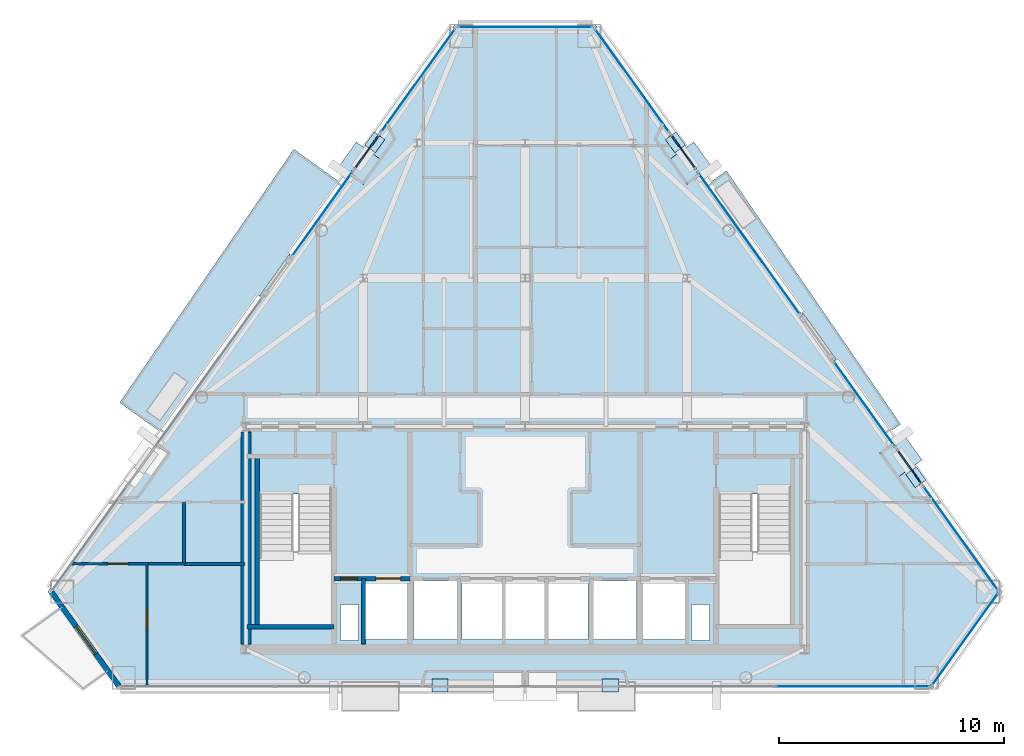
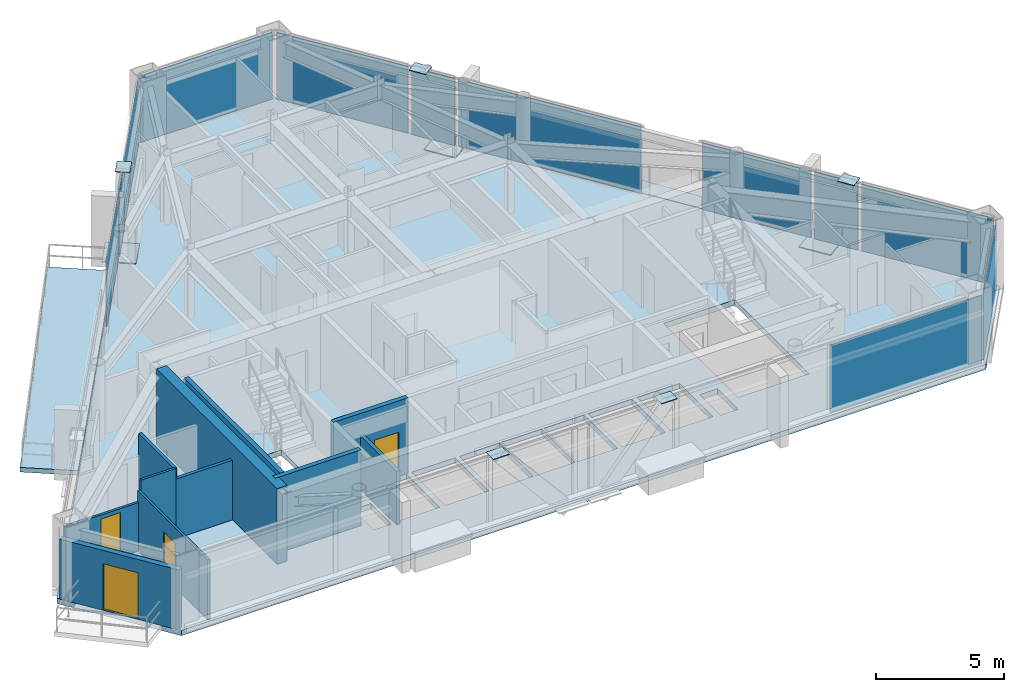
# One storey, part 7 of 12: 20 plates, 11 walls, 5 doors, 3 slabs, 5 openings, 12 elements without a shape of their own.
"""IFC4 building model written with IfcOpenShell, lengths in metres."""

from ifc_helpers import new_model, si_unit, direction, frame, frame_2d, origin, origin_2d, place, context, subcontext, project, spatial, polyline, rectangle, outline, extrude, source, transform, mapped, material, layer, layer_set, type_object, type_shapes, element, fill, aggregate, save


model = new_model("IFC4")

# Units and contexts
model_context = context("Model", 3, precision=1e-05, world=origin(), true_north=direction((0.0, 1.0)))
body_context = subcontext(model_context, "Body", "Model", "MODEL_VIEW")
ifc_project = project(units=[si_unit("LENGTHUNIT", "METRE"), si_unit("AREAUNIT", "SQUARE_METRE"), si_unit("VOLUMEUNIT", "CUBIC_METRE"), si_unit("PLANEANGLEUNIT", "RADIAN"), si_unit("MASSUNIT", "GRAM", prefix="KILO")], contexts=[model_context])

# Site, building, storey
site_placement = place(None, origin())
site = spatial("IfcSite", under=ifc_project, at=site_placement, CompositionType="ELEMENT")
building_placement = place(site_placement, origin())
building = spatial("IfcBuilding", under=site, at=building_placement, Name="Talgorran Terracotta Tower", CompositionType="ELEMENT")
storey_placement = place(building_placement, frame((0.0, 0.0, 225.300048828125)))
storey = spatial("IfcBuildingStorey", under=building, at=storey_placement, Name="L59", CompositionType="ELEMENT", Elevation=225.300048828125)

# Plates
ifc_material_1 = material(Name="Steel Grade 350 (350L0)", Category="steel")
ifc_layer_1 = layer(ifc_material_1, 0.031982421875, Name="PL_CAP_MN07")
ifc_layer_set_1 = layer_set([ifc_layer_1], Name="Steel Grade 350 (350L0)")
plate_type_1 = type_object("IfcPlateType", Name="PL_CAP_MN07", PredefinedType="USERDEFINED", material=ifc_layer_set_1)
for number, where, z_axis, x_axis, name in (
    (1, (-3.783203125, -15.712158203125, 3.2939453125), (0.0, 0.0, 1.0), (-1.0, 0.0, 0.0), "L59 Diagonal Frame End Cap SWF Top"),
    (2, (3.783203125, -15.712158203125, 3.2939453125), (0.0, 0.0, 1.0), (1.0, 0.0, 0.0), "L59 Diagonal Frame End Cap SEF Top"),
    (3, (17.359619140625, -6.453857421875, 3.2939453125), (0.0, 0.0, 1.0), (0.583115925445, -0.812388957023, 0.0), "L59 Diagonal Frame End Cap NEL Top"),
    (4, (6.67822265625, 8.42724609375, 3.2939453125), (0.0, 0.0, 1.0), (-0.583115925445, 0.812388957023, 0.0), "L59 Diagonal Frame End Cap NEU Top"),
    (5, (-6.67822265625, 8.42724609375, 3.2939453125), (0.0, 0.0, 1.0), (0.583115925445, 0.812388957023, 0.0), "L59 Diagonal Frame End Cap NWU Top"),
):
    element("IfcPlate", number, at=place(storey_placement, frame(where, z_axis=z_axis, x_axis=x_axis)), inside=storey, type_object=plate_type_1, Name=name, ObjectType="CAP PLATE", PredefinedType="USERDEFINED", context=body_context, shape_type="SweptSolid", body=[
        extrude(rectangle(XDim=0.719970703125, YDim=0.580078125, at=origin_2d()), origin(), (0.0, 0.0, 1.0), 0.031982421875),
    ])
ifc_layer_2 = layer(ifc_material_1, 0.050048828125, Name="PL_NODE_MN03")
ifc_layer_set_2 = layer_set([ifc_layer_2], Name="Steel Grade 350 (350L0)")
plate_type_2 = type_object("IfcPlateType", Name="PL_NODE_MN03", PredefinedType="USERDEFINED", material=ifc_layer_set_2)
for number, where, z_axis, x_axis, name in (
    (6, (16.694091796875, -5.527099609375, -0.01513671875), (0.0, 0.0, 1.0), (0.583115925445, -0.812388957023, 0.0), "L59 Diagonal Frame End Cap NEL Bot"),
    (7, (7.343505859375, 7.50048828125, -0.01513671875), (0.0, 0.0, 1.0), (-0.583115925445, 0.812388957023, 0.0), "L59 Diagonal Frame End Cap NEU Bot"),
    (8, (-7.343505859375, 7.50048828125, -0.01513671875), (0.0, 0.0, 1.0), (0.583115925445, 0.812388957023, 0.0), "L59 Diagonal Frame End Cap NWU Bot"),
):
    element("IfcPlate", number, at=place(storey_placement, frame(where, z_axis=z_axis, x_axis=x_axis)), inside=storey, type_object=plate_type_2, Name=name, ObjectType="NODE PLATE", PredefinedType="USERDEFINED", context=body_context, shape_type="SweptSolid", body=[
        extrude(rectangle(XDim=1.35009765625, YDim=1.35009765625, at=origin_2d()), origin(), (0.0, 0.0, 1.0), 0.050048828125),
    ])

# Slabs
ifc_material_2 = material(Name="Concrete C40/50", Category="concrete")
ifc_layer_3 = layer(ifc_material_2, 0.219970703125, Name="SL_BALCONY_220")
ifc_layer_set_3 = layer_set([ifc_layer_3], Name="Concrete C40/50")
slab_type_1 = type_object("IfcSlabType", Name="SL_BALCONY_220", PredefinedType="FLOOR", material=ifc_layer_set_3)
slab_1_placement = place(storey_placement, frame((0.0, 0.0, -0.219970703125)))
element("IfcSlab", 9, at=slab_1_placement, inside=storey, type_object=slab_type_1, Name="L59 Outdoor Wave Balcony BAL-NE", PredefinedType="FLOOR", context=body_context, shape_type="SweptSolid", body=[
    extrude(outline(polyline([(8.189208984375, 6.622314453125), (16.15185546875, -4.47119140625), (16.6796875, -4.09228515625), (8.947021484375, 7.166015625), (8.189208984375, 6.622314453125)])), origin(), (0.0, 0.0, 1.0), 0.219970703125),
])
slab_2_placement = place(storey_placement, frame((0.0, 0.0, -0.219970703125)))
element("IfcSlab", 10, at=slab_2_placement, inside=storey, type_object=slab_type_1, Name="L59 Outdoor Wave Balcony BAL-NW", PredefinedType="FLOOR", context=body_context, shape_type="SweptSolid", body=[
    extrude(outline(polyline([(-16.15185546875, -4.47119140625), (-8.189208984375, 6.622314453125), (-10.277099609375, 8.120849609375), (-18.010009765625, -3.1376953125), (-16.15185546875, -4.47119140625)])), origin(), (0.0, 0.0, 1.0), 0.219970703125),
])
ifc_layer_4 = layer(ifc_material_2, 0.2548828125, Name="SL_TOWER_235")
ifc_layer_set_4 = layer_set([ifc_layer_4], Name="Concrete C40/50")
slab_type_2 = type_object("IfcSlabType", Name="SL_TOWER_235", PredefinedType="FLOOR", material=ifc_layer_set_4)
slab_3_placement = place(storey_placement, frame((0.0, 0.0, -0.255126953125)))
element("IfcSlab", 11, at=slab_3_placement, inside=storey, type_object=slab_type_2, Name="Storey L59 Structural Floor Slab", PredefinedType="FLOOR", context=body_context, shape_type="SweptSolid", body=[
    extrude(outline(polyline([(-21.206787109375, -11.53955078125), (-18.096923828125, -15.872314453125), (18.096923828125, -15.872314453125), (21.206787109375, -11.53955078125), (3.10986328125, 13.673095703125), (-3.10986328125, 13.673095703125), (-21.206787109375, -11.53955078125)]), holes=[polyline([(-11.800048828125, -7.199951171875), (-11.800048828125, -13.0), (-8.60009765625, -13.0), (-8.60009765625, -7.199951171875), (-11.800048828125, -7.199951171875)]), polyline([(8.60009765625, -7.199951171875), (8.60009765625, -13.0), (11.800048828125, -13.0), (11.800048828125, -7.199951171875), (8.60009765625, -7.199951171875)]), polyline([(-7.10009765625, -13.64990234375), (-5.199951171875, -13.64990234375), (-5.199951171875, -11.050048828125), (-7.10009765625, -11.050048828125), (-7.10009765625, -13.64990234375)]), polyline([(5.199951171875, -13.64990234375), (7.10009765625, -13.64990234375), (7.10009765625, -11.050048828125), (5.199951171875, -11.050048828125), (5.199951171875, -13.64990234375)]), polyline([(3.0, -13.64990234375), (4.949951171875, -13.64990234375), (4.949951171875, -11.050048828125), (3.0, -11.050048828125), (3.0, -13.64990234375)]), polyline([(-4.949951171875, -13.64990234375), (-3.0, -13.64990234375), (-3.0, -11.050048828125), (-4.949951171875, -11.050048828125), (-4.949951171875, -13.64990234375)]), polyline([(-2.800048828125, -13.64990234375), (-1.0, -13.64990234375), (-1.0, -11.050048828125), (-2.800048828125, -11.050048828125), (-2.800048828125, -13.64990234375)]), polyline([(-0.89990234375, -13.64990234375), (0.89990234375, -13.64990234375), (0.89990234375, -11.050048828125), (-0.89990234375, -11.050048828125), (-0.89990234375, -13.64990234375)]), polyline([(1.0, -13.64990234375), (2.800048828125, -13.64990234375), (2.800048828125, -11.050048828125), (1.0, -11.050048828125), (1.0, -13.64990234375)]), polyline([(-8.199951171875, -13.699951171875), (-7.39990234375, -13.699951171875), (-7.39990234375, -12.10009765625), (-8.199951171875, -12.10009765625), (-8.199951171875, -13.699951171875)]), polyline([(7.39990234375, -13.699951171875), (8.199951171875, -13.699951171875), (8.199951171875, -12.10009765625), (7.39990234375, -12.10009765625), (7.39990234375, -13.699951171875)])]), origin(), (0.0, 0.0, 1.0), 0.255126953125),
])

# Curtain wall, plate
ifc_material_3 = material(Name="High-Wind Unitised Glazing", Category="glass")
ifc_layer_5 = layer(ifc_material_3, 0.2099609375, Name="CW_SYS3_RES_HIGH")
ifc_layer_set_5 = layer_set([ifc_layer_5], Name="High-Wind Unitised Glazing")
curtain_wall_type = type_object("IfcCurtainWallType", Name="CW_SYS3_RES_HIGH", PredefinedType="NOTDEFINED", material=ifc_layer_set_5)
curtain_wall_1_placement = place(storey_placement, origin())
curtain_wall_1 = element("IfcCurtainWall", 12, at=curtain_wall_1_placement, inside=storey, type_object=curtain_wall_type, Name="CW-L59-F1E", PredefinedType="NOTDEFINED")
ifc_material_4 = material(Name="High-Wind Acoustic Vision Glass", Category="glass")
ifc_layer_6 = layer(ifc_material_4, 0.031982421875, Name="PLT_VISION_32")
ifc_layer_set_6 = layer_set([ifc_layer_6], Name="High-Wind Acoustic Vision Glass")
plate_type_3 = type_object("IfcPlateType", Name="PLT_VISION_32", PredefinedType="CURTAIN_PANEL", material=ifc_layer_set_6)
shared_shape_1 = source(origin(), body_context, "Body", "SweptSolid", [
    extrude(rectangle(XDim=6.817626953125, YDim=0.031982421875, at=origin_2d()), origin(), (0.0, 0.0, 1.0), 3.179931640625),
])
plate_1_placement = place(storey_placement, frame((14.556640625, -15.752197265625, 0.06982421875), z_axis=(0.0, 0.0, 1.0), x_axis=(1.0, 0.0, 0.0)))
plate_1 = element("IfcPlate", 13, at=plate_1_placement, type_object=plate_type_3, Name="CW-L59-1E panel 2.1", PredefinedType="CURTAIN_PANEL", context=body_context, shape_type="MappedRepresentation", body=[
    mapped(shared_shape_1, transform((0.0, 0.0, 0.0), scale=1.0)),
])
aggregate(curtain_wall_1, [plate_1])

curtain_wall_2_placement = place(storey_placement, origin())
curtain_wall_2 = element("IfcCurtainWall", 14, at=curtain_wall_2_placement, inside=storey, type_object=curtain_wall_type, Name="CW-L59-F2", PredefinedType="NOTDEFINED")
shared_shape_2 = source(origin(), body_context, "Body", "SweptSolid", [
    extrude(rectangle(XDim=5.04541015625, YDim=0.031982421875, at=origin_2d()), origin(), (0.0, 0.0, 1.0), 3.179931640625),
])
plate_2_placement = place(storey_placement, frame((19.54736328125, -13.64599609375, 0.06982421875), z_axis=(0.0, 0.0, 1.0), x_axis=(0.583113785654, 0.812390492916, 0.0)))
plate_2 = element("IfcPlate", 15, at=plate_2_placement, type_object=plate_type_3, Name="CW-L59-2 panel 1.1", PredefinedType="CURTAIN_PANEL", context=body_context, shape_type="MappedRepresentation", body=[
    mapped(shared_shape_2, transform((0.0, 0.0, 0.0), scale=1.0)),
])
aggregate(curtain_wall_2, [plate_2])

curtain_wall_3_placement = place(storey_placement, origin())
curtain_wall_3 = element("IfcCurtainWall", 16, at=curtain_wall_3_placement, inside=storey, type_object=curtain_wall_type, Name="CW-L59-F40", PredefinedType="NOTDEFINED")
shared_shape_3 = source(origin(), body_context, "Body", "SweptSolid", [
    extrude(rectangle(XDim=5.63916015625, YDim=0.031982421875, at=origin_2d()), origin(), (0.0, 0.0, 1.0), 3.179931640625),
])
plate_3_placement = place(storey_placement, frame((19.350830078125, -9.15966796875, 0.06982421875), z_axis=(0.0, 0.0, 1.0), x_axis=(-0.583115726941, 0.812389099505, 0.0)))
plate_3 = element("IfcPlate", 17, at=plate_3_placement, type_object=plate_type_3, Name="CW-L59-40 panel 1.1", PredefinedType="CURTAIN_PANEL", context=body_context, shape_type="MappedRepresentation", body=[
    mapped(shared_shape_3, transform((0.0, 0.0, 0.0), scale=1.0)),
])
aggregate(curtain_wall_3, [plate_3])

curtain_wall_4_placement = place(storey_placement, origin())
curtain_wall_4 = element("IfcCurtainWall", 18, at=curtain_wall_4_placement, inside=storey, type_object=curtain_wall_type, Name="CW-L59-F40B", PredefinedType="NOTDEFINED")
ifc_material_5 = material(Name="Terracotta Insulated Spandrel", Category="masonry")
ifc_layer_7 = layer(ifc_material_5, 0.06494140625, Name="PLT_SPANDREL_TERRA")
ifc_layer_set_7 = layer_set([ifc_layer_7], Name="Terracotta Insulated Spandrel")
plate_type_4 = type_object("IfcPlateType", Name="PLT_SPANDREL_TERRA", PredefinedType="SHEET", material=ifc_layer_set_7)
shared_shape_4 = source(origin(), body_context, "Body", "SweptSolid", [
    extrude(rectangle(XDim=1.864990234375, YDim=0.06494140625, at=origin_2d()), origin(), (0.0, 0.0, 1.0), 3.179931640625),
])
type_shapes(plate_type_4, [shared_shape_4])
plate_4_placement = place(storey_placement, frame((17.075439453125, -5.98974609375, 0.06982421875), z_axis=(0.0, 0.0, 1.0), x_axis=(-0.583119019935, 0.812386735853, 0.0)))
plate_4 = element("IfcPlate", 19, at=plate_4_placement, type_object=plate_type_4, Name="CW-L59-40B panel 1.1", PredefinedType="CURTAIN_PANEL", context=body_context, shape_type="MappedRepresentation", body=[
    mapped(shared_shape_4, transform((0.0, 0.0, 0.0), scale=1.0)),
])
aggregate(curtain_wall_4, [plate_4])

curtain_wall_5_placement = place(storey_placement, origin())
curtain_wall_5 = element("IfcCurtainWall", 20, at=curtain_wall_5_placement, inside=storey, type_object=curtain_wall_type, Name="CW-L59-F41B", PredefinedType="NOTDEFINED")
plate_5_placement = place(storey_placement, frame((7.027099609375, 8.009765625, 0.06982421875), z_axis=(0.0, 0.0, 1.0), x_axis=(-0.583086103473, 0.812410361785, 0.0)))
plate_5 = element("IfcPlate", 21, at=plate_5_placement, type_object=plate_type_4, Name="CW-L59-41B panel 1.1", PredefinedType="CURTAIN_PANEL", context=body_context, shape_type="MappedRepresentation", body=[
    mapped(shared_shape_4, transform((0.0, 0.0, 0.0), scale=1.0)),
])
aggregate(curtain_wall_5, [plate_5])

curtain_wall_6_placement = place(storey_placement, origin())
curtain_wall_6 = element("IfcCurtainWall", 22, at=curtain_wall_6_placement, inside=storey, type_object=curtain_wall_type, Name="CW-L59-F60B", PredefinedType="NOTDEFINED")
plate_6_placement = place(storey_placement, frame((-7.027099609375, 8.009765625, 0.06982421875), z_axis=(0.0, 0.0, 1.0), x_axis=(-0.583086103473, -0.812410361785, 0.0)))
plate_6 = element("IfcPlate", 23, at=plate_6_placement, type_object=plate_type_4, Name="CW-L59-60B panel 1.1", PredefinedType="CURTAIN_PANEL", context=body_context, shape_type="MappedRepresentation", body=[
    mapped(shared_shape_4, transform((0.0, 0.0, 0.0), scale=1.0)),
])
aggregate(curtain_wall_6, [plate_6])

curtain_wall_7_placement = place(storey_placement, origin())
curtain_wall_7 = element("IfcCurtainWall", 24, at=curtain_wall_7_placement, inside=storey, type_object=curtain_wall_type, Name="CW-L59-F40C", PredefinedType="NOTDEFINED")
shared_shape_5 = source(origin(), body_context, "Body", "SweptSolid", [
    extrude(rectangle(XDim=4.669189453125, YDim=0.031982421875, at=origin_2d()), origin(), (0.0, 0.0, 1.0), 3.179931640625),
])
plate_7_placement = place(storey_placement, frame((15.0830078125, -3.213623046875, 0.06982421875), z_axis=(0.0, 0.0, 1.0), x_axis=(-0.583117064517, 0.812388139419, 0.0)))
plate_7 = element("IfcPlate", 25, at=plate_7_placement, type_object=plate_type_3, Name="CW-L59-40C panel 1.1", PredefinedType="CURTAIN_PANEL", context=body_context, shape_type="MappedRepresentation", body=[
    mapped(shared_shape_5, transform((0.0, 0.0, 0.0), scale=1.0)),
])
aggregate(curtain_wall_7, [plate_7])

curtain_wall_8_placement = place(storey_placement, origin())
curtain_wall_8 = element("IfcCurtainWall", 26, at=curtain_wall_8_placement, inside=storey, type_object=curtain_wall_type, Name="CW-L59-F41", PredefinedType="NOTDEFINED")
shared_shape_6 = source(origin(), body_context, "Body", "SweptSolid", [
    extrude(rectangle(XDim=7.798095703125, YDim=0.031982421875, at=origin_2d()), origin(), (0.0, 0.0, 1.0), 3.179931640625),
])
plate_8_placement = place(storey_placement, frame((9.931884765625, 3.962646484375, 0.06982421875), z_axis=(0.0, 0.0, 1.0), x_axis=(-0.583114699837, 0.812389836737, 0.0)))
plate_8 = element("IfcPlate", 27, at=plate_8_placement, type_object=plate_type_3, Name="CW-L59-41 panel 1.1", PredefinedType="CURTAIN_PANEL", context=body_context, shape_type="MappedRepresentation", body=[
    mapped(shared_shape_6, transform((0.0, 0.0, 0.0), scale=1.0)),
])
aggregate(curtain_wall_8, [plate_8])

curtain_wall_9_placement = place(storey_placement, origin())
curtain_wall_9 = element("IfcCurtainWall", 28, at=curtain_wall_9_placement, inside=storey, type_object=curtain_wall_type, Name="CW-L59-F41C", PredefinedType="NOTDEFINED")
shared_shape_7 = source(origin(), body_context, "Body", "SweptSolid", [
    extrude(rectangle(XDim=5.630859375, YDim=0.031982421875, at=origin_2d()), origin(), (0.0, 0.0, 1.0), 3.179931640625),
])
plate_9_placement = place(storey_placement, frame((4.754150390625, 11.17626953125, 0.06982421875), z_axis=(0.0, 0.0, 1.0), x_axis=(-0.58310856109, 0.812394242953, 0.0)))
plate_9 = element("IfcPlate", 29, at=plate_9_placement, type_object=plate_type_3, Name="CW-L59-41C panel 1.1", PredefinedType="CURTAIN_PANEL", context=body_context, shape_type="MappedRepresentation", body=[
    mapped(shared_shape_7, transform((0.0, 0.0, 0.0), scale=1.0)),
])
aggregate(curtain_wall_9, [plate_9])

curtain_wall_10_placement = place(storey_placement, origin())
curtain_wall_10 = element("IfcCurtainWall", 30, at=curtain_wall_10_placement, inside=storey, type_object=curtain_wall_type, Name="CW-L59-F60", PredefinedType="NOTDEFINED")
plate_10_placement = place(storey_placement, frame((-4.754150390625, 11.17626953125, 0.06982421875), z_axis=(0.0, 0.0, 1.0), x_axis=(-0.58310856109, -0.812394242953, 0.0)))
plate_10 = element("IfcPlate", 31, at=plate_10_placement, type_object=plate_type_3, Name="CW-L59-60 panel 1.1", PredefinedType="CURTAIN_PANEL", context=body_context, shape_type="MappedRepresentation", body=[
    mapped(shared_shape_7, transform((0.0, 0.0, 0.0), scale=1.0)),
])
aggregate(curtain_wall_10, [plate_10])

curtain_wall_11_placement = place(storey_placement, origin())
curtain_wall_11 = element("IfcCurtainWall", 32, at=curtain_wall_11_placement, inside=storey, type_object=curtain_wall_type, Name="CW-L59-F4", PredefinedType="NOTDEFINED")
shared_shape_8 = source(origin(), body_context, "Body", "SweptSolid", [
    extrude(rectangle(XDim=5.95654296875, YDim=0.031982421875, at=origin_2d()), origin(), (0.0, 0.0, 1.0), 3.179931640625),
])
plate_11_placement = place(storey_placement, frame((0.0, 13.552978515625, 0.06982421875), z_axis=(0.0, 0.0, 1.0), x_axis=(-1.0, 0.0, 0.0)))
plate_11 = element("IfcPlate", 33, at=plate_11_placement, type_object=plate_type_3, Name="CW-L59-4 panel 1.1", PredefinedType="CURTAIN_PANEL", context=body_context, shape_type="MappedRepresentation", body=[
    mapped(shared_shape_8, transform((0.0, 0.0, 0.0), scale=1.0)),
])
aggregate(curtain_wall_11, [plate_11])

curtain_wall_12_placement = place(storey_placement, origin())
curtain_wall_12 = element("IfcCurtainWall", 34, at=curtain_wall_12_placement, inside=storey, type_object=curtain_wall_type, Name="CW-L59-F60C", PredefinedType="NOTDEFINED")
shared_shape_9 = source(origin(), body_context, "Body", "SweptSolid", [
    extrude(rectangle(XDim=4.603759765625, YDim=0.031982421875, at=origin_2d()), origin(), (0.0, 0.0, 1.0), 3.179931640625),
])
type_shapes(plate_type_3, [shared_shape_1, shared_shape_2, shared_shape_3, shared_shape_5, shared_shape_6, shared_shape_7, shared_shape_8, shared_shape_9])
plate_12_placement = place(storey_placement, frame((-9.000732421875, 5.26025390625, 0.06982421875), z_axis=(0.0, 0.0, 1.0), x_axis=(-0.583109052802, -0.812393890019, 0.0)))
plate_12 = element("IfcPlate", 35, at=plate_12_placement, type_object=plate_type_3, Name="CW-L59-60C panel 1.1", PredefinedType="CURTAIN_PANEL", context=body_context, shape_type="MappedRepresentation", body=[
    mapped(shared_shape_9, transform((0.0, 0.0, 0.0), scale=1.0)),
])
aggregate(curtain_wall_12, [plate_12])

# Wall, opening, door
ifc_layer_8 = layer(ifc_material_2, 0.239990234375, Name="WT_BALCONY_SPAND")
ifc_layer_set_8 = layer_set([ifc_layer_8], Name="Concrete C40/50")
wall_type_1 = type_object("IfcWallType", Name="WT_BALCONY_SPAND", PredefinedType="STANDARD", material=ifc_layer_set_8)
wall_1_placement = place(storey_placement, frame((-21.035888671875, -11.572021484375, -0.01513671875), z_axis=(0.0, 0.0, 1.0), x_axis=(0.583136392473, -0.812374265824, 0.0)))
wall_1 = element("IfcWall", 36, at=wall_1_placement, inside=storey, type_object=wall_type_1, Name="WL-L59-BALP-BAL-SW", PredefinedType="STANDARD", context=body_context, shape_type="SweptSolid", body=[
    extrude(rectangle(XDim=5.105712890625, YDim=0.239990234375, at=frame_2d((2.552734375, 0.0))), origin(), (0.0, 0.0, 1.0), 2.85302734375),
])
opening_1_placement = place(wall_1_placement, frame((1.846435546875, 0.0, 0.014892578125)))
opening_1 = element("IfcOpeningElement", 37, at=opening_1_placement, cuts=wall_1, Name="Opening D-BAL-L59-3", PredefinedType="OPENING", context=body_context, shape_type="SweptSolid", body=[
    extrude(rectangle(XDim=1.506, YDim=2.203951171875, at=frame_2d((0.75, 1.10205078125))), frame((0.0, 0.1298828125, 0.0), z_axis=(0.0, -1.0, 0.0), x_axis=(1.0, 0.0, 0.0)), (0.0, 0.0, 1.0), 0.260009765625),
])
ifc_material_6 = material(Name="Thermally Broken Aluminium", Category="aluminium")
door_type_1 = type_object("IfcDoorType", Name="DT_BALC_1500", OperationType="SLIDING_TO_RIGHT", PredefinedType="DOOR", material=ifc_material_6)
door_1_placement = place(opening_1_placement, origin())
door_1 = element("IfcDoor", 38, at=door_1_placement, inside=storey, type_object=door_type_1, Name="DR-L59-BAL-BAL-SW", OperationType="SLIDING_TO_RIGHT", OverallHeight=2.199951171875, OverallWidth=1.5, PredefinedType="DOOR", context=body_context, shape_type="SweptSolid", body=[
    extrude(rectangle(XDim=1.5, YDim=2.199951171875, at=frame_2d((0.75, 1.10009765625))), frame((0.0, 0.02490234375, 0.0), z_axis=(0.0, -1.0, 0.0), x_axis=(1.0, 0.0, 0.0)), (0.0, 0.0, 1.0), 0.050048828125),
])
fill(opening_1, door_1)

# Walls
ifc_material_7 = material(Name="Concrete C50/60", Category="concrete")
ifc_layer_9 = layer(ifc_material_7, 0.199951171875, Name="WT_CORE_200")
ifc_layer_set_9 = layer_set([ifc_layer_9], Name="Concrete C50/60")
wall_type_2 = type_object("IfcWallType", Name="WT_CORE_200", PredefinedType="SOLIDWALL", material=ifc_layer_set_9)
wall_2_placement = place(storey_placement, frame((-12.35009765625, -13.10009765625, 0.0), z_axis=(0.0, 0.0, 1.0), x_axis=(1.0, 0.0, 0.0)))
element("IfcWall", 39, at=wall_2_placement, inside=storey, type_object=wall_type_2, Name="WL-L59-CW-ST1-S", PredefinedType="SOLIDWALL", context=body_context, shape_type="SweptSolid", body=[
    extrude(rectangle(XDim=3.8701171875, YDim=0.199951171875, at=frame_2d((1.93505859375, 0.0))), origin(), (0.0, 0.0, 1.0), 3.599853515625),
])
wall_3_placement = place(storey_placement, frame((-11.89990234375, -13.10009765625, 0.0), z_axis=(0.0, 0.0, 1.0), x_axis=(0.0, 1.0, 0.0)))
element("IfcWall", 40, at=wall_3_placement, inside=storey, type_object=wall_type_2, Name="WL-L59-CW-ST1-W", PredefinedType="SOLIDWALL", context=body_context, shape_type="SweptSolid", body=[
    extrude(rectangle(XDim=7.580078125, YDim=0.199951171875, at=frame_2d((3.7900390625, 0.0))), origin(), (0.0, 0.0, 1.0), 3.599853515625),
])

# Wall, openings, doors
wall_4_placement = place(storey_placement, frame((-8.47998046875, -10.949951171875, 0.0), z_axis=(0.0, 0.0, 1.0), x_axis=(1.0, 0.0, 0.0)))
wall_4 = element("IfcWall", 41, at=wall_4_placement, inside=storey, type_object=wall_type_2, Name="WL-L59-CW-H-SBW", PredefinedType="SOLIDWALL", context=body_context, shape_type="SweptSolid", body=[
    extrude(rectangle(XDim=3.35986328125, YDim=0.199951171875, at=frame_2d((1.679931640625, 0.0))), origin(), (0.0, 0.0, 1.0), 3.599853515625),
])
opening_2_placement = place(wall_4_placement, frame((0.280029296875, 0.0, 0.0)))
opening_2 = element("IfcOpeningElement", 42, at=opening_2_placement, cuts=wall_4, Name="Opening DR-RSW", PredefinedType="OPENING", context=body_context, shape_type="SweptSolid", body=[
    extrude(rectangle(XDim=0.756, YDim=2.054048828125, at=frame_2d((0.375, 1.027099609375))), frame((0.0, 0.10986328125, 0.0), z_axis=(0.0, -1.0, 0.0), x_axis=(1.0, 0.0, 0.0)), (0.0, 0.0, 1.0), 0.219970703125),
])
opening_3_placement = place(wall_4_placement, frame((1.85009765625, 0.0, 0.0)))
opening_3 = element("IfcOpeningElement", 43, at=opening_3_placement, cuts=wall_4, Name="Opening LD-FFL1", PredefinedType="OPENING", context=body_context, shape_type="SweptSolid", body=[
    extrude(rectangle(XDim=1.10609765625, YDim=2.10409765625, at=frame_2d((0.550048828125, 1.052001953125))), frame((0.0, 0.10986328125, 0.0), z_axis=(0.0, -1.0, 0.0), x_axis=(1.0, 0.0, 0.0)), (0.0, 0.0, 1.0), 0.219970703125),
])
ifc_material_8 = material(Name="Brushed Stainless Steel Grade 304", Category="steel")
door_type_2 = type_object("IfcDoorType", Name="DT_LIFT_LD1100", OperationType="DOUBLE_DOOR_SLIDING", PredefinedType="DOOR", material=ifc_material_8)
door_2_placement = place(opening_3_placement, origin())
door_2 = element("IfcDoor", 44, at=door_2_placement, inside=storey, type_object=door_type_2, Name="L59 Lift Landing Door LD-FFL1", OperationType="DOUBLE_DOOR_SLIDING", OverallHeight=2.10009765625, OverallWidth=1.10009765625, PredefinedType="DOOR", context=body_context, shape_type="SweptSolid", body=[
    extrude(rectangle(XDim=1.10009765625, YDim=2.10009765625, at=frame_2d((0.550048828125, 1.050048828125))), frame((0.0, 0.02490234375, 0.0), z_axis=(0.0, -1.0, 0.0), x_axis=(1.0, 0.0, 0.0)), (0.0, 0.0, 1.0), 0.050048828125),
])
fill(opening_3, door_2)
ifc_material_9 = material(Name="Fire-Rated Pressed Steel", Category="steel")
door_type_3 = type_object("IfcDoorType", Name="DT_RISER_750", OperationType="NOTDEFINED", PredefinedType="DOOR", material=ifc_material_9)
door_3_placement = place(opening_2_placement, origin())
door_3 = element("IfcDoor", 45, at=door_3_placement, inside=storey, type_object=door_type_3, Name="DR-RSW", OperationType="SINGLE_SWING_LEFT", OverallHeight=2.050048828125, OverallWidth=0.75, PredefinedType="DOOR", context=body_context, shape_type="SweptSolid", body=[
    extrude(rectangle(XDim=0.75, YDim=2.050048828125, at=frame_2d((0.375, 1.02490234375))), frame((0.0, 0.02490234375, 0.0), z_axis=(0.0, -1.0, 0.0), x_axis=(1.0, 0.0, 0.0)), (0.0, 0.0, 1.0), 0.050048828125),
])
fill(opening_2, door_3)

# Wall
ifc_material_10 = material(Name="Concrete C65/80", Category="concrete")
ifc_layer_10 = layer(ifc_material_10, 0.449951171875, Name="WT_CORE_EXT")
ifc_layer_set_10 = layer_set([ifc_layer_10], Name="Concrete C65/80")
wall_type_3 = type_object("IfcWallType", Name="WT_CORE_EXT", PredefinedType="SHEAR", material=ifc_layer_set_10)
wall_5_placement = place(storey_placement, frame((-12.39990234375, -13.85009765625, 0.0), z_axis=(0.0, 0.0, 1.0), x_axis=(0.0, 1.0, 0.0)))
element("IfcWall", 46, at=wall_5_placement, inside=storey, type_object=wall_type_3, Name="WL-L59-CW-OUT-W", PredefinedType="SHEAR", context=body_context, shape_type="SweptSolid", body=[
    extrude(rectangle(XDim=9.400146484375, YDim=0.449951171875, at=frame_2d((4.7001953125, 0.0))), origin(), (0.0, 0.0, 1.0), 3.599853515625),
])

# Wall, opening, door
ifc_material_11 = material(Name="Lightweight Steel Stud Partition", Category="steel")
ifc_layer_11 = layer(ifc_material_11, 0.10498046875, Name="WT_PART_110")
ifc_layer_set_11 = layer_set([ifc_layer_11], Name="Lightweight Steel Stud Partition")
wall_type_4 = type_object("IfcWallType", Name="WT_PART_110", PredefinedType="PARTITIONING", material=ifc_layer_set_11)
wall_6_placement = place(storey_placement, frame((-16.800048828125, -15.752197265625, 0.0), z_axis=(0.0, 0.0, 1.0), x_axis=(0.0, 1.0, 0.0)))
wall_6 = element("IfcWall", 47, at=wall_6_placement, inside=storey, type_object=wall_type_4, Name="WL-L59-W-L59-R16", PredefinedType="PARTITIONING", context=body_context, shape_type="SweptSolid", body=[
    extrude(rectangle(XDim=5.4521484375, YDim=0.10498046875, at=frame_2d((2.72607421875, 0.0))), origin(), (0.0, 0.0, 1.0), 2.837890625),
])
opening_4_placement = place(wall_6_placement, frame((2.53564453125, 0.0, 0.0)))
opening_4 = element("IfcOpeningElement", 48, at=opening_4_placement, cuts=wall_6, Name="Opening DR-L59-R05", PredefinedType="OPENING", context=body_context, shape_type="SweptSolid", body=[
    extrude(rectangle(XDim=0.8858828125, YDim=2.10409765625, at=frame_2d((0.43994140625, 1.052001953125))), frame((0.0, 0.0625, 0.0), z_axis=(0.0, -1.0, 0.0), x_axis=(1.0, 0.0, 0.0)), (0.0, 0.0, 1.0), 0.125),
])
ifc_material_12 = material(Name="Solid-Core Painted Timber", Category="wood")
door_type_4 = type_object("IfcDoorType", Name="DT_INT_880", OperationType="NOTDEFINED", PredefinedType="DOOR", material=ifc_material_12)
door_4_placement = place(opening_4_placement, origin())
door_4 = element("IfcDoor", 49, at=door_4_placement, inside=storey, type_object=door_type_4, Name="DR-L59-R05", OperationType="SINGLE_SWING_LEFT", OverallHeight=2.10009765625, OverallWidth=0.8798828125, PredefinedType="DOOR", context=body_context, shape_type="SweptSolid", body=[
    extrude(rectangle(XDim=0.8798828125, YDim=2.10009765625, at=frame_2d((0.43994140625, 1.050048828125))), frame((0.0, 0.02490234375, 0.0), z_axis=(0.0, -1.0, 0.0), x_axis=(1.0, 0.0, 0.0)), (0.0, 0.0, 1.0), 0.050048828125),
])
fill(opening_4, door_4)

wall_7_placement = place(storey_placement, frame((-20.169189453125, -10.300048828125, 0.0), z_axis=(0.0, 0.0, 1.0), x_axis=(1.0, 0.0, 0.0)))
wall_7 = element("IfcWall", 50, at=wall_7_placement, inside=storey, type_object=wall_type_4, Name="WL-L59-W-L59-R14", PredefinedType="PARTITIONING", context=body_context, shape_type="SweptSolid", body=[
    extrude(rectangle(XDim=3.42919921875, YDim=0.10498046875, at=frame_2d((1.714599609375, 0.0))), origin(), (0.0, 0.0, 1.0), 2.294921875),
])
opening_5_placement = place(wall_7_placement, frame((1.6396484375, 0.0, 0.0)))
opening_5 = element("IfcOpeningElement", 51, at=opening_5_placement, cuts=wall_7, Name="Opening DR-L59-R04", PredefinedType="OPENING", context=body_context, shape_type="SweptSolid", body=[
    extrude(rectangle(XDim=0.8858828125, YDim=2.10409765625, at=frame_2d((0.43994140625, 1.052001953125))), frame((0.0, 0.0625, 0.0), z_axis=(0.0, -1.0, 0.0), x_axis=(1.0, 0.0, 0.0)), (0.0, 0.0, 1.0), 0.125),
])
door_5_placement = place(opening_5_placement, origin())
door_5 = element("IfcDoor", 52, at=door_5_placement, inside=storey, type_object=door_type_4, Name="DR-L59-R04", OperationType="SINGLE_SWING_RIGHT", OverallHeight=2.10009765625, OverallWidth=0.8798828125, PredefinedType="DOOR", context=body_context, shape_type="SweptSolid", body=[
    extrude(rectangle(XDim=0.8798828125, YDim=2.10009765625, at=frame_2d((0.43994140625, 1.050048828125))), frame((0.0, 0.02490234375, 0.0), z_axis=(0.0, -1.0, 0.0), x_axis=(1.0, 0.0, 0.0)), (0.0, 0.0, 1.0), 0.050048828125),
])
fill(opening_5, door_5)

# Walls
wall_8_placement = place(storey_placement, frame((-16.738037109375, -10.300048828125, 0.0), z_axis=(0.0, 0.0, 1.0), x_axis=(1.0, 0.0, 0.0)))
element("IfcWall", 53, at=wall_8_placement, inside=storey, type_object=wall_type_4, Name="WL-L59-W-L59-R15", PredefinedType="PARTITIONING", context=body_context, shape_type="SweptSolid", body=[
    extrude(rectangle(XDim=1.578125, YDim=0.10498046875, at=frame_2d((0.7890625, 0.0))), origin(), (0.0, 0.0, 1.0), 3.320068359375),
])
ifc_material_13 = material(Name="Moisture-Resistant Stud Wall")
ifc_layer_12 = layer(ifc_material_13, 0.135009765625, Name="WT_PART_135")
ifc_layer_set_12 = layer_set([ifc_layer_12], Name="Moisture-Resistant Stud Wall")
wall_type_5 = type_object("IfcWallType", Name="WT_PART_135", PredefinedType="PARTITIONING", material=ifc_layer_set_12)
wall_9_placement = place(storey_placement, frame((-15.159912109375, -10.300048828125, 0.0), z_axis=(0.0, 0.0, 1.0), x_axis=(0.0, 1.0, 0.0)))
element("IfcWall", 54, at=wall_9_placement, inside=storey, type_object=wall_type_5, Name="WL-L59-W-L59-R12", PredefinedType="PARTITIONING", context=body_context, shape_type="SweptSolid", body=[
    extrude(rectangle(XDim=2.739990234375, YDim=0.135009765625, at=frame_2d((1.3701171875, 0.0))), origin(), (0.0, 0.0, 1.0), 3.320068359375),
])
wall_10_placement = place(storey_placement, frame((-15.159912109375, -10.300048828125, 0.0), z_axis=(0.0, 0.0, 1.0), x_axis=(1.0, 0.0, 0.0)))
element("IfcWall", 55, at=wall_10_placement, inside=storey, type_object=wall_type_5, Name="WL-L59-W-L59-R13", PredefinedType="PARTITIONING", context=body_context, shape_type="SweptSolid", body=[
    extrude(rectangle(XDim=2.719970703125, YDim=0.135009765625, at=frame_2d((1.35986328125, 0.0))), origin(), (0.0, 0.0, 1.0), 2.837890625),
])
ifc_material_14 = material(Name="Fire-Rated Shaftwall")
ifc_layer_13 = layer(ifc_material_14, 0.159912109375, Name="WT_PART_150")
ifc_layer_set_13 = layer_set([ifc_layer_13], Name="Fire-Rated Shaftwall")
wall_type_6 = type_object("IfcWallType", Name="WT_PART_150", PredefinedType="PARTITIONING", material=ifc_layer_set_13)
wall_11_placement = place(storey_placement, frame((-7.179931640625, -13.85009765625, 0.0), z_axis=(0.0, 0.0, 1.0), x_axis=(0.0, 1.0, 0.0)))
element("IfcWall", 56, at=wall_11_placement, inside=storey, type_object=wall_type_6, Name="WL-L59-CW-RSW", PredefinedType="PARTITIONING", context=body_context, shape_type="SweptSolid", body=[
    extrude(rectangle(XDim=2.900146484375, YDim=0.159912109375, at=frame_2d((1.4501953125, 0.0))), origin(), (0.0, 0.0, 1.0), 2.544921875),
])

save(model, "model.ifc")
